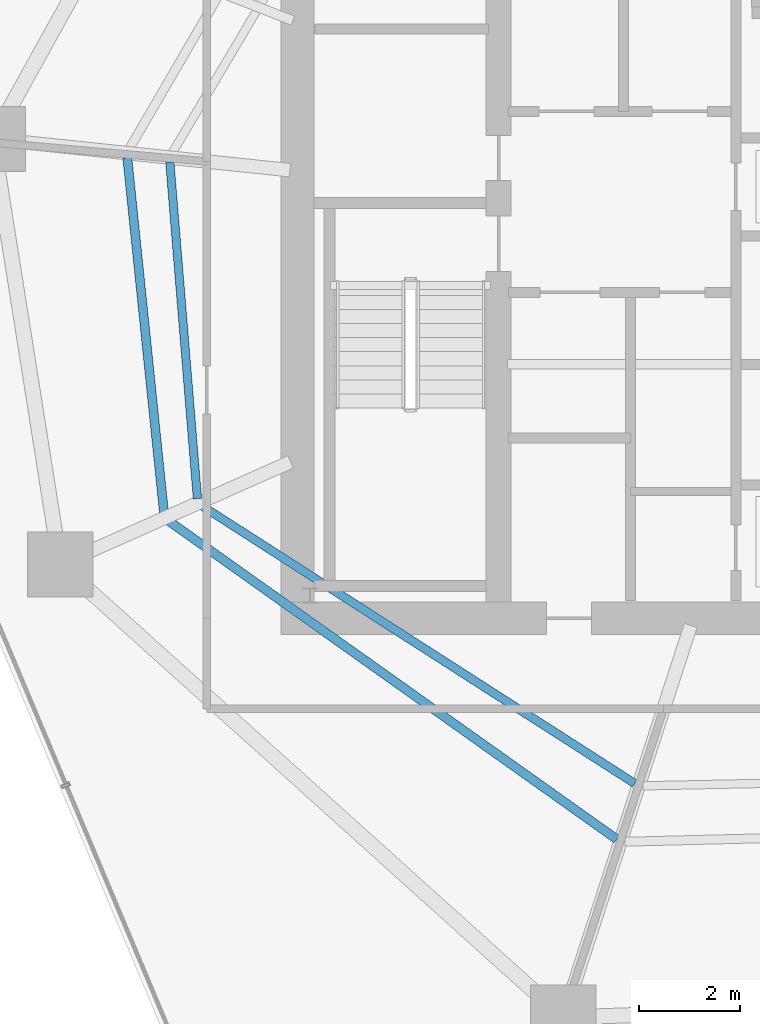
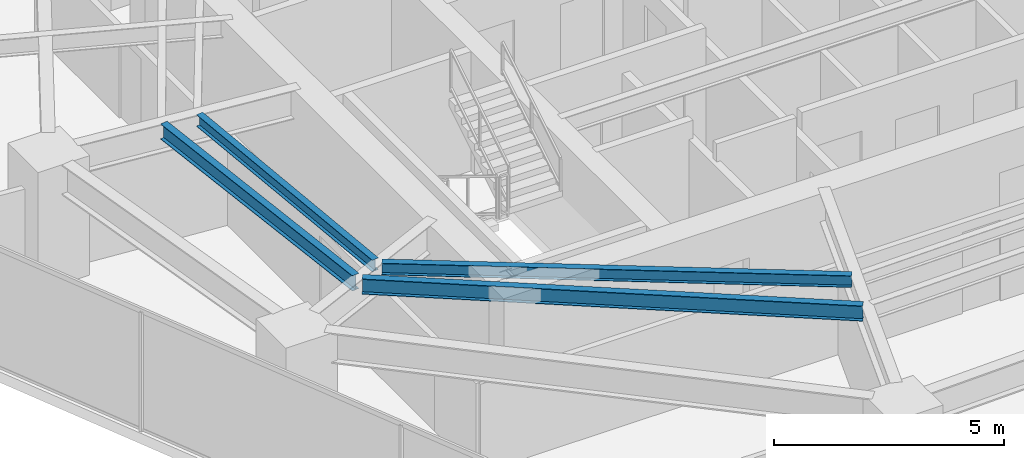
# One storey, part 8 of 30: 4 beams.
"""IFC4 building model written with IfcOpenShell, lengths in metres."""

from ifc_helpers import new_model, si_unit, direction, frame, origin, origin_2d, place, context, subcontext, project, spatial, i_section, extrude, material, material_profile, profile_set, type_object, element, save


model = new_model("IFC4")

# Units and contexts
model_context = context("Model", 3, precision=1e-05, world=origin(), true_north=direction((0.0, 1.0)))
body_context = subcontext(model_context, "Body", "Model", "MODEL_VIEW")
ifc_project = project(units=[si_unit("LENGTHUNIT", "METRE"), si_unit("AREAUNIT", "SQUARE_METRE"), si_unit("VOLUMEUNIT", "CUBIC_METRE"), si_unit("PLANEANGLEUNIT", "RADIAN"), si_unit("MASSUNIT", "GRAM", prefix="KILO")], contexts=[model_context])

# Site, building, storey
site_placement = place(None, origin())
site = spatial("IfcSite", under=ifc_project, at=site_placement, CompositionType="ELEMENT")
building_placement = place(site_placement, origin())
building = spatial("IfcBuilding", under=site, at=building_placement, Name="Qarnah Convention Tower", CompositionType="ELEMENT")
storey_placement = place(building_placement, frame((0.0, 0.0, 40.800048828125)))
storey = spatial("IfcBuildingStorey", under=building, at=storey_placement, Name="L09", CompositionType="ELEMENT", Elevation=40.800048828125)

# Beams
ifc_material = material(Name="Structural steel S355JR", Category="steel")
ifc_material_profile_1 = material_profile(ifc_material, i_section(OverallWidth=0.166015625, OverallDepth=0.31201171875, WebThickness=0.007080078125, FlangeThickness=0.010986328125, at=origin_2d()), Name="W310X45")
ifc_profile_set_1 = profile_set([ifc_material_profile_1], Name="Structural steel S355JR")
beam_type_1 = type_object("IfcBeamType", Name="BM-JST-W310", PredefinedType="JOIST", material=ifc_profile_set_1)
beam_1_placement = place(storey_placement, frame((24.261962890625, 27.6708984375, 3.013916015625), z_axis=(0.081763689087, -0.996651744165, 0.0), x_axis=(0.996651744165, 0.081763689087, 0.0)))
element("IfcBeam", 1, at=beam_1_placement, inside=storey, type_object=beam_type_1, Name="L09 joist BM-L09-IJST-05", PredefinedType="JOIST", context=body_context, shape_type="SweptSolid", body=[
    extrude(i_section(OverallWidth=0.166015625, OverallDepth=0.31201171875, WebThickness=0.007080078125, FlangeThickness=0.010986328125, at=origin_2d()), origin(), (0.0, 0.0, 1.0), 6.71533203125),
])
beam_2_placement = place(storey_placement, frame((24.89404296875, 20.839111328125, 3.013916015625), z_axis=(0.841675053613, -0.539984355445, 0.0), x_axis=(0.539984355445, 0.841675053613, 0.0)))
element("IfcBeam", 2, at=beam_2_placement, inside=storey, type_object=beam_type_1, Name="L09 joist BM-L09-IJST-06", PredefinedType="JOIST", context=body_context, shape_type="SweptSolid", body=[
    extrude(i_section(OverallWidth=0.166015625, OverallDepth=0.31201171875, WebThickness=0.007080078125, FlangeThickness=0.010986328125, at=origin_2d()), origin(), (0.0, 0.0, 1.0), 10.23193359375),
])
ifc_material_profile_2 = material_profile(ifc_material, i_section(OverallWidth=0.177978515625, OverallDepth=0.407958984375, WebThickness=0.008056640625, FlangeThickness=0.012939453125, at=origin_2d()), Name="W410X60")
ifc_profile_set_2 = profile_set([ifc_material_profile_2], Name="Structural steel S355JR")
beam_type_2 = type_object("IfcBeamType", Name="BM-JST-W410", PredefinedType="JOIST", material=ifc_profile_set_2)
beam_3_placement = place(storey_placement, frame((23.416015625, 27.760009765625, 2.966064453125), z_axis=(0.10287690675, -0.994694094713, 0.0), x_axis=(0.994694094713, 0.10287690675, 0.0)))
element("IfcBeam", 3, at=beam_3_placement, inside=storey, type_object=beam_type_2, Name="L09 joist BM-L09-SJST-05", PredefinedType="JOIST", context=body_context, shape_type="SweptSolid", body=[
    extrude(i_section(OverallWidth=0.177978515625, OverallDepth=0.407958984375, WebThickness=0.008056640625, FlangeThickness=0.012939453125, at=origin_2d()), origin(), (0.0, 0.0, 1.0), 7.11474609375),
])
beam_4_placement = place(storey_placement, frame((24.22998046875, 20.541015625, 2.966064453125), z_axis=(0.815244739249, -0.579116581637, 0.0), x_axis=(0.579116581637, 0.815244739249, 0.0)))
element("IfcBeam", 4, at=beam_4_placement, inside=storey, type_object=beam_type_2, Name="L09 joist BM-L09-SJST-06", PredefinedType="JOIST", context=body_context, shape_type="SweptSolid", body=[
    extrude(i_section(OverallWidth=0.177978515625, OverallDepth=0.407958984375, WebThickness=0.008056640625, FlangeThickness=0.012939453125, at=origin_2d()), origin(), (0.0, 0.0, 1.0), 10.93896484375),
])

save(model, "model.ifc")
